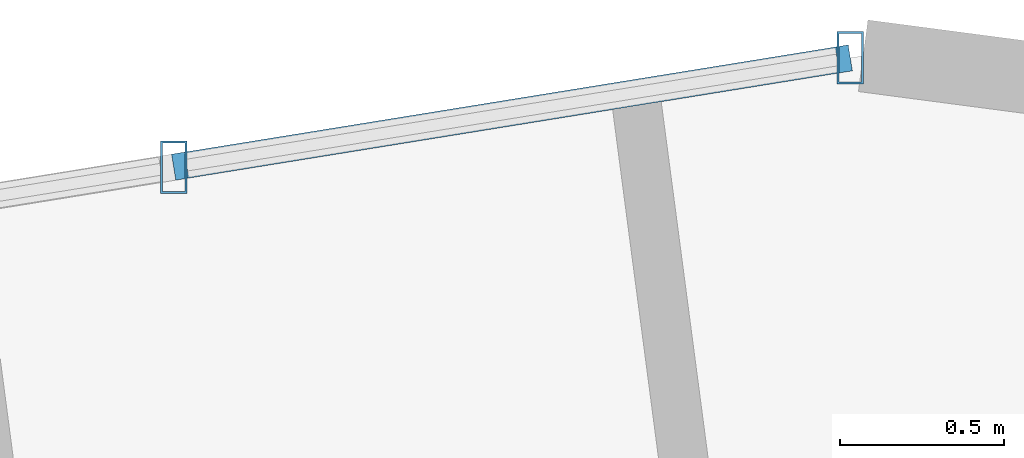
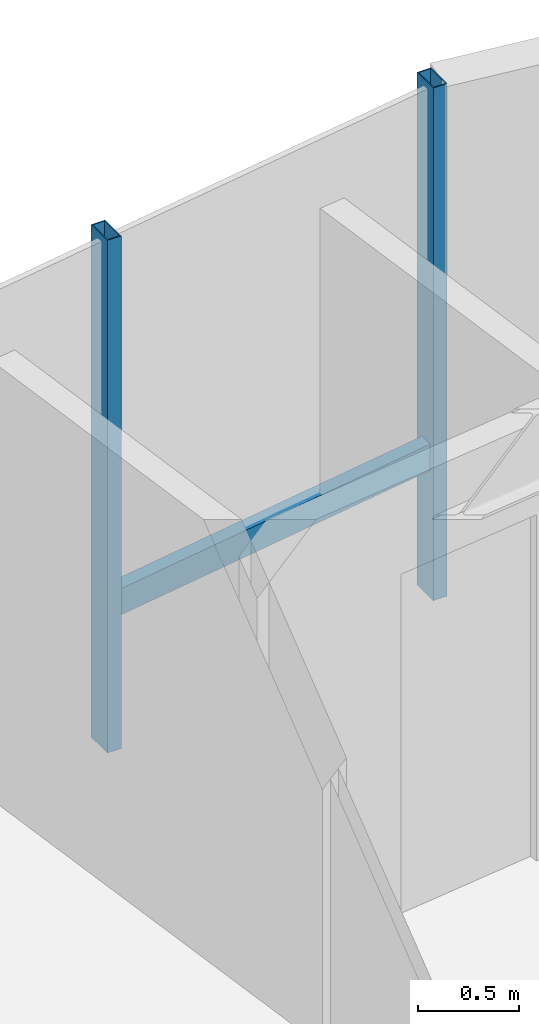
# One storey, part 16 of 23: 3 members, 1 element without a shape of its own.
"""IFC4 building model written with IfcOpenShell, lengths in metres."""

import ifcopenshell
import ifcopenshell.guid

model = None  # the IFC model being written
_history = None  # IfcOwnerHistory: only IFC2X3 demands one
_inside = {}  # id of a spatial element -> (the spatial element, [elements in it])
_under = {}  # id of a project, library or spatial element -> (it, [spatial elements below it])
_declared = {}  # id of a project -> (the project, [libraries it declares])
_typed = {}  # id of a type object -> (the type object, [elements of that type])
_made_of = {}  # id of a material, layer set ... -> (it, [elements and type objects made of it])


def new_model(schema):
    """Start an empty IFC model of exactly this schema.

    Asked for "IFC4X3", IfcOpenShell would pick the latest addendum, in which some entities
    have other attributes; the version numbers below select the first issue.
    IFC2X3 requires an IfcOwnerHistory on every rooted entity: one is made here for all.
    """
    global model, _history
    if schema == "IFC4X3":
        model = ifcopenshell.file(schema_version=(4, 3, 0, 0))
    else:
        model = ifcopenshell.file(schema=schema)
    _inside.clear()
    _under.clear()
    _declared.clear()
    _typed.clear()
    _made_of.clear()
    _history = None
    if model.schema == "IFC2X3":
        org = make("IfcOrganization", Name="unknown")
        user = make(
            "IfcPersonAndOrganization",
            ThePerson=make("IfcPerson", FamilyName="unknown"),
            TheOrganization=org,
        )
        app = make(
            "IfcApplication",
            ApplicationDeveloper=org,
            Version="unknown",
            ApplicationFullName="unknown",
            ApplicationIdentifier="unknown",
        )
        _history = make(
            "IfcOwnerHistory",
            OwningUser=user,
            OwningApplication=app,
            ChangeAction="ADDED",
            CreationDate=0,
        )
    return model


def make(cls, **values):
    """One entity of the class cls with the attributes given. An attribute that is None is left unset."""
    return model.create_entity(
        cls, **{name: value for name, value in values.items() if value is not None}
    )


def rooted(cls, **values):
    """An entity with a GlobalId (a new one), such as an element, a storey or a relation."""
    return make(cls, GlobalId=ifcopenshell.guid.new(), OwnerHistory=_history, **values)


def si_unit(unit_type, name, prefix=None):
    """IfcSIUnit, for example si_unit("LENGTHUNIT", "METRE", prefix="MILLI")."""
    return make("IfcSIUnit", UnitType=unit_type, Prefix=prefix, Name=name)


def assignment(units):
    """IfcUnitAssignment: the units of a project."""
    return None if units is None else make("IfcUnitAssignment", Units=units)


def point(xyz):
    """IfcCartesianPoint."""
    return None if xyz is None else make("IfcCartesianPoint", Coordinates=xyz)


def direction(xyz):
    """IfcDirection."""
    return None if xyz is None else make("IfcDirection", DirectionRatios=xyz)


def frame(location, z_axis=None, x_axis=None):
    """IfcAxis2Placement3D, a coordinate frame: its origin and axes. An axis left out is left unset."""
    return make(
        "IfcAxis2Placement3D",
        Location=point(location),
        Axis=direction(z_axis),
        RefDirection=direction(x_axis),
    )


def frame_2d(location, x_axis=None):
    """IfcAxis2Placement2D, a coordinate frame in the plane: its origin and x axis."""
    return make(
        "IfcAxis2Placement2D", Location=point(location), RefDirection=direction(x_axis)
    )


def origin():
    """The frame at (0, 0, 0) with its axes left unset."""
    return frame((0.0, 0.0, 0.0))


def origin_2d():
    """The frame at (0, 0) in the plane with its x axis left unset."""
    return frame_2d((0.0, 0.0))


def place(relative_to, where):
    """IfcLocalPlacement: puts the frame where relative to a parent placement (None: the world)."""
    return make(
        "IfcLocalPlacement", PlacementRelTo=relative_to, RelativePlacement=where
    )


def context(
    kind, dimensions, precision=None, world=None, true_north=None, identifier=None
):
    """IfcGeometricRepresentationContext, for example the 3D "Model" context."""
    return make(
        "IfcGeometricRepresentationContext",
        ContextIdentifier=identifier,
        ContextType=kind,
        CoordinateSpaceDimension=dimensions,
        Precision=precision,
        WorldCoordinateSystem=world,
        TrueNorth=true_north,
    )


def subcontext(parent, identifier, kind, view, scale=None):
    """IfcGeometricRepresentationSubContext, for example "Body" below "Model"."""
    return make(
        "IfcGeometricRepresentationSubContext",
        ContextIdentifier=identifier,
        ContextType=kind,
        ParentContext=parent,
        TargetScale=scale,
        TargetView=view,
    )


def project(units=None, contexts=None):
    """IfcProject with its units and contexts."""
    return rooted(
        "IfcProject",
        Name="project",
        RepresentationContexts=contexts,
        UnitsInContext=assignment(units),
    )


def spatial(cls, under=None, at=None, **own):
    """A site, building, storey or space (cls), placed at a placement, below another one or the project."""
    s = rooted(cls, ObjectPlacement=at, **own)
    if under is not None:
        _under.setdefault(under.id(), (under, []))[1].append(s)
    return s


def profile(cls, at=None, kind="AREA", **sizes):
    """A parametric profile (cls). Its sizes go by their IFC names, for example OverallWidth=200.0."""
    return make(cls, ProfileType=kind, Position=at, **sizes)


def hollow_rectangle(**sizes):
    """IfcRectangleHollowProfileDef."""
    return profile("IfcRectangleHollowProfileDef", **sizes)


def extrude(swept, where, along, depth):
    """IfcExtrudedAreaSolid: the profile swept, set in the frame where, extruded along a direction by depth."""
    return make(
        "IfcExtrudedAreaSolid",
        SweptArea=swept,
        Position=where,
        ExtrudedDirection=direction(along),
        Depth=depth,
    )


def shape(context_of_items, identifier, shape_type, items):
    """IfcShapeRepresentation: the items that make up one representation, for example the "Body"."""
    return make(
        "IfcShapeRepresentation",
        ContextOfItems=context_of_items,
        RepresentationIdentifier=identifier,
        RepresentationType=shape_type,
        Items=items,
    )


def source(mapping_origin, context_of_items, identifier, shape_type, items):
    """IfcRepresentationMap: a shape defined once, which mapped items show again and again."""
    return make(
        "IfcRepresentationMap",
        MappingOrigin=mapping_origin,
        MappedRepresentation=shape(context_of_items, identifier, shape_type, items),
    )


def transform(
    local_origin,
    x_axis=None,
    y_axis=None,
    z_axis=None,
    scale=None,
    scale2=None,
    scale3=None,
    uniform=True,
):
    """IfcCartesianTransformationOperator3D, or its non-uniform kind. x_axis, y_axis, z_axis: its Axis1, 2, 3."""
    if uniform:
        return make(
            "IfcCartesianTransformationOperator3D",
            Axis1=direction(x_axis),
            Axis2=direction(y_axis),
            LocalOrigin=point(local_origin),
            Scale=scale,
            Axis3=direction(z_axis),
        )
    return make(
        "IfcCartesianTransformationOperator3DnonUniform",
        Axis1=direction(x_axis),
        Axis2=direction(y_axis),
        LocalOrigin=point(local_origin),
        Scale=scale,
        Axis3=direction(z_axis),
        Scale2=scale2,
        Scale3=scale3,
    )


def mapped(mapping_source, mapping_target):
    """IfcMappedItem: shows the shape of a source again, moved by a transform."""
    return make(
        "IfcMappedItem", MappingSource=mapping_source, MappingTarget=mapping_target
    )


def material(Name=None, Category=None):
    """IfcMaterial."""
    return make("IfcMaterial", Name=Name, Category=Category)


def material_profile(
    of_material, cross_section, Name=None, Category=None, Priority=None
):
    """IfcMaterialProfile: a cross section and its material."""
    return make(
        "IfcMaterialProfile",
        Name=Name,
        Material=of_material,
        Profile=cross_section,
        Priority=Priority,
        Category=Category,
    )


def profile_set(profiles, Name=None, composite=None):
    """IfcMaterialProfileSet."""
    return make(
        "IfcMaterialProfileSet",
        Name=Name,
        MaterialProfiles=profiles,
        CompositeProfile=composite,
    )


def made_of(thing, what):
    """Note that an element or type object is made of a material, layer set ...; save() writes the relation."""
    if what is not None:
        _made_of.setdefault(what.id(), (what, []))[1].append(thing)
    return thing


def type_object(cls, material=None, **own):
    """A type object (cls), such as IfcWallType, which elements share."""
    return made_of(rooted(cls, **own), material)


def element(
    cls,
    number,
    at=None,
    inside=None,
    cuts=None,
    type_object=None,
    material=None,
    context=None,
    identifier="Body",
    shape_type=None,
    held_by="IfcProductDefinitionShape",
    body=None,
    shapes=None,
    **own,
):
    """One element of the class cls, such as IfcWall. Its Tag is "e" and its number.

    at: its placement. inside: the storey or other place that contains it. cuts: it is an
    opening in that element (IfcRelVoidsElement). A single representation is given by context,
    identifier, shape_type and body (its items); several are given by shapes. held_by: the class
    of the entity that holds the representations. save() writes the other relations.
    """
    e = rooted(cls, Tag="e%d" % number, ObjectPlacement=at, **own)
    if body is not None:
        shapes = [shape(context, identifier, shape_type, body)]
    if shapes is not None:
        e.Representation = make(held_by, Representations=shapes)
    if inside is not None:
        _inside.setdefault(inside.id(), (inside, []))[1].append(e)
    if cuts is not None:
        rooted(
            "IfcRelVoidsElement", RelatingBuildingElement=cuts, RelatedOpeningElement=e
        )
    if type_object is not None:
        _typed.setdefault(type_object.id(), (type_object, []))[1].append(e)
    return made_of(e, material)


def aggregate(whole, parts):
    """IfcRelAggregates: a whole, such as a stair, and the parts it consists of."""
    return rooted("IfcRelAggregates", RelatingObject=whole, RelatedObjects=parts)


def save(model, path):
    """Write the relations noted so far, then the file.

    IfcRelAggregates (storeys below a building ...), IfcRelContainedInSpatialStructure (elements
    in a storey), IfcRelDefinesByType, IfcRelAssociatesMaterial and IfcRelDeclares: one each for
    every whole, place, type object, material and project.
    """
    for whole, parts in _under.values():
        aggregate(whole, parts)
    for where, things in _inside.values():
        rooted(
            "IfcRelContainedInSpatialStructure",
            RelatedElements=things,
            RelatingStructure=where,
        )
    for kind, things in _typed.values():
        rooted("IfcRelDefinesByType", RelatedObjects=things, RelatingType=kind)
    for what, things in _made_of.values():
        rooted("IfcRelAssociatesMaterial", RelatedObjects=things, RelatingMaterial=what)
    for by, libraries in _declared.values():
        rooted("IfcRelDeclares", RelatingContext=by, RelatedDefinitions=libraries)
    model.write(path)


model = new_model("IFC4")

# Units and contexts
model_context = context("Model", 3, precision=1e-05, world=origin(), true_north=direction((0.0, 1.0)))
body_context = subcontext(model_context, "Body", "Model", "MODEL_VIEW")
ifc_project = project(units=[si_unit("LENGTHUNIT", "METRE"), si_unit("AREAUNIT", "SQUARE_METRE"), si_unit("VOLUMEUNIT", "CUBIC_METRE"), si_unit("PLANEANGLEUNIT", "RADIAN"), si_unit("MASSUNIT", "GRAM", prefix="KILO")], contexts=[model_context])

# Site, building, storey
site_placement = place(None, origin())
site = spatial("IfcSite", under=ifc_project, at=site_placement, CompositionType="ELEMENT")
building_placement = place(site_placement, origin())
building = spatial("IfcBuilding", under=site, at=building_placement, Name="Sahyath Konkavel Grand Hotel", CompositionType="ELEMENT")
storey_placement = place(building_placement, frame((0.0, 0.0, 254.550048828125)))
storey = spatial("IfcBuildingStorey", under=building, at=storey_placement, Name="L71", CompositionType="ELEMENT", Elevation=254.550048828125)

# Curtain wall, members
ifc_material_1 = material(Name="Anodised Bronze Aluminium & Low-E Glazing", Category="aluminium")
curtain_wall_type = type_object("IfcCurtainWallType", Name="CW-ZONE4", PredefinedType="NOTDEFINED", material=ifc_material_1)
curtain_wall_placement = place(storey_placement, origin())
curtain_wall = element("IfcCurtainWall", 1, at=curtain_wall_placement, inside=storey, type_object=curtain_wall_type, Name="L71 Unitised Curtain Wall F12", PredefinedType="NOTDEFINED")
ifc_material_2 = material(Name="Anodised Bronze Aluminium", Category="aluminium")
ifc_material_profile_1 = material_profile(ifc_material_2, hollow_rectangle(XDim=0.080078125, YDim=0.159912109375, WallThickness=0.006103515625, at=origin_2d()), Name="RHS 160x80x6")
ifc_profile_set_1 = profile_set([ifc_material_profile_1], Name="Anodised Bronze Aluminium")
member_type_1 = type_object("IfcMemberType", Name="CW-MUL-160", PredefinedType="MULLION", material=ifc_profile_set_1)
shared_shape_1 = source(origin(), body_context, "Body", "SweptSolid", [
    extrude(hollow_rectangle(XDim=0.080078125, YDim=0.159912109375, WallThickness=0.006103515625, at=origin_2d()), origin(), (0.0, 0.0, 1.0), 3.10986328125),
])
member_1_placement = place(storey_placement, frame((1.091064453125, 20.166748046875, 0.0), z_axis=(0.0, 0.0, 1.0), x_axis=(1.0, 0.0, 0.0)))
member_1 = element("IfcMember", 2, at=member_1_placement, type_object=member_type_1, Name="L71 Curtain Wall Mullion F12-0", PredefinedType="MULLION", context=body_context, shape_type="MappedRepresentation", body=[
    mapped(shared_shape_1, transform((0.0, 0.0, 0.0), scale=1.0)),
])
member_2_placement = place(storey_placement, frame((-0.971435546875, 19.83349609375, 0.0), z_axis=(0.0, 0.0, 1.0), x_axis=(1.0, 0.0, 0.0)))
member_2 = element("IfcMember", 3, at=member_2_placement, type_object=member_type_1, Name="L71 Curtain Wall Mullion F12-1", PredefinedType="MULLION", context=body_context, shape_type="MappedRepresentation", body=[
    mapped(shared_shape_1, transform((0.0, 0.0, 0.0), scale=1.0)),
])
ifc_material_profile_2 = material_profile(ifc_material_2, hollow_rectangle(XDim=0.080078125, YDim=0.159912109375, WallThickness=0.006103515625, at=origin_2d()), Name="RHS 160x80x6")
ifc_profile_set_2 = profile_set([ifc_material_profile_2], Name="Anodised Bronze Aluminium")
member_type_2 = type_object("IfcMemberType", Name="CW-TRN-160", PredefinedType="USERDEFINED", material=ifc_profile_set_2)
shared_shape_2 = source(origin(), body_context, "Body", "SweptSolid", [
    extrude(hollow_rectangle(XDim=0.080078125, YDim=0.159912109375, WallThickness=0.006103515625, at=origin_2d()), origin(), (0.0, 0.0, 1.0), 2.08935546875),
])
member_3_placement = place(storey_placement, frame((1.091064453125, 20.166748046875, 0.849853515625), z_axis=(-0.987196639182, -0.159507979697, 0.0), x_axis=(0.159507979697, -0.987196639182, 0.0)))
member_3 = element("IfcMember", 4, at=member_3_placement, type_object=member_type_2, Name="L71 Curtain Wall Transom F12-0-spandrel", ObjectType="TRANSOM", PredefinedType="USERDEFINED", context=body_context, shape_type="MappedRepresentation", body=[
    mapped(shared_shape_2, transform((0.0, 0.0, 0.0), scale=1.0)),
])
aggregate(curtain_wall, [member_1, member_2, member_3])

save(model, "model.ifc")
